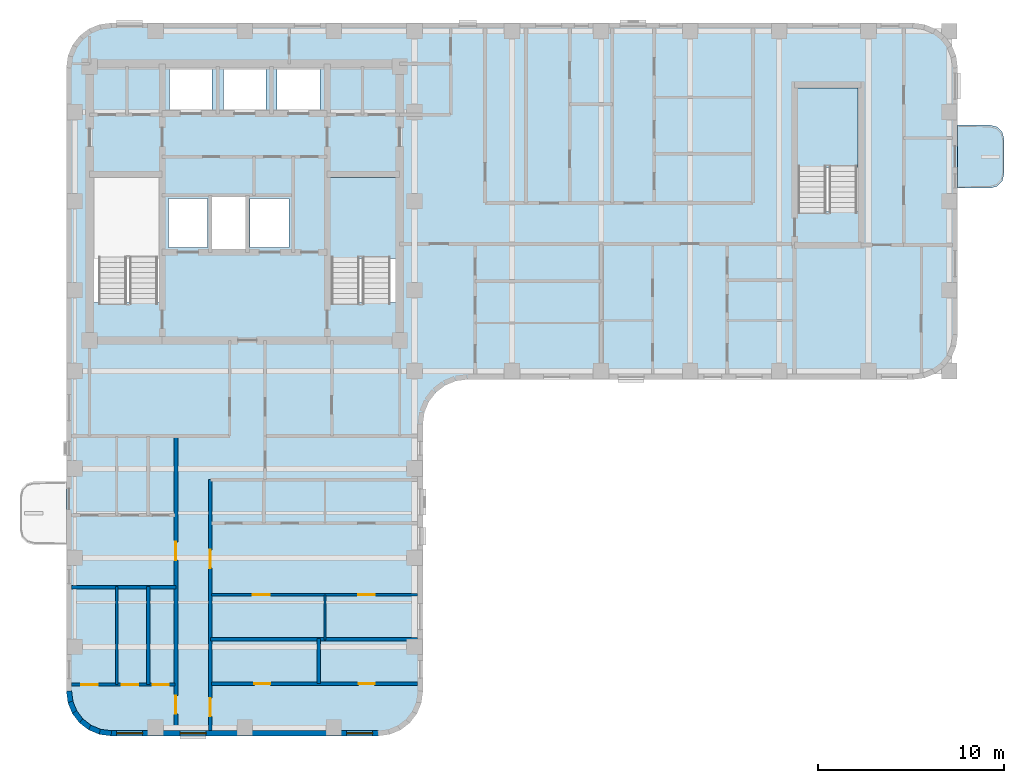
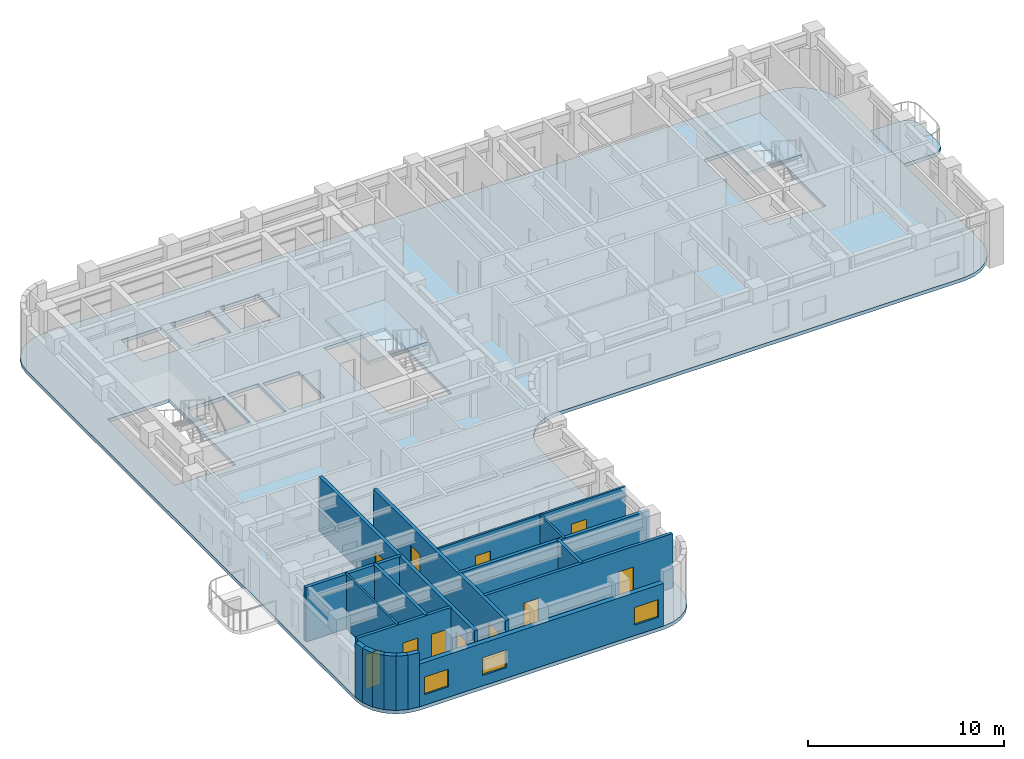
# One storey, part 2 of 10: 18 walls, 11 doors, 4 slabs, 3 windows, 14 openings, 2 elements without a shape of their own.
"""IFC4 building model written with IfcOpenShell, lengths in metres."""

from ifc_helpers import new_model, si_unit, direction, frame, frame_2d, origin, place, context, subcontext, project, spatial, polyline, rectangle, outline, extrude, material, layer, layer_set, type_object, element, fill, aggregate, save


model = new_model("IFC4")

# Units and contexts
model_context = context("Model", 3, precision=1e-05, world=origin(), true_north=direction((0.0, 1.0)))
body_context = subcontext(model_context, "Body", "Model", "MODEL_VIEW")
ifc_project = project(units=[si_unit("LENGTHUNIT", "METRE"), si_unit("AREAUNIT", "SQUARE_METRE"), si_unit("VOLUMEUNIT", "CUBIC_METRE"), si_unit("PLANEANGLEUNIT", "RADIAN"), si_unit("MASSUNIT", "GRAM", prefix="KILO")], contexts=[model_context])

# Site, building, storey
site_placement = place(None, origin())
site = spatial("IfcSite", under=ifc_project, at=site_placement, CompositionType="ELEMENT")
building_placement = place(site_placement, origin())
building = spatial("IfcBuilding", under=site, at=building_placement, Name="Orvandelia Arch Residences", CompositionType="ELEMENT")
storey_placement = place(building_placement, frame((0.0, 0.0, 218.199951171875)))
storey = spatial("IfcBuildingStorey", under=building, at=storey_placement, Name="L57", CompositionType="ELEMENT", Elevation=218.199951171875)

# Slab
ifc_material_1 = material(Name="Precast concrete C40/50", Category="concrete")
ifc_layer_1 = layer(ifc_material_1, 0.219970703125, Name="Precast concrete C40/50", Category="concrete")
ifc_layer_set_1 = layer_set([ifc_layer_1], Name="Precast concrete C40/50")
slab_type_1 = type_object("IfcSlabType", Name="SLB-BAL-220", PredefinedType="USERDEFINED", material=ifc_layer_set_1)
slab_1_placement = place(storey_placement, frame((0.0, 0.0, -0.219970703125)))
element("IfcSlab", 1, at=slab_1_placement, inside=storey, type_object=slab_type_1, Name="Tree Balcony Cantilever Slab BAL-L57-E1", ObjectType="BALCONY", PredefinedType="USERDEFINED", context=body_context, shape_type="SweptSolid", body=[
    extrude(outline(polyline([(52.800048828125, 42.5), (52.800048828125, 39.10009765625), (54.550048828125, 39.10009765625), (54.925048828125, 39.200439453125), (55.199462890625, 39.47509765625), (55.300048828125, 39.85009765625), (55.300048828125, 41.75), (55.199462890625, 42.125), (54.925048828125, 42.3994140625), (54.550048828125, 42.5), (52.800048828125, 42.5)])), origin(), (0.0, 0.0, 1.0), 0.219970703125),
])

# Stair, slab
ifc_material_2 = material(Name="Concrete C40/50", Category="concrete")
stair_type = type_object("IfcStairType", Name="STAIR-RC-DOGLEG", PredefinedType="HALF_TURN_STAIR", material=ifc_material_2)
stair_1_placement = place(storey_placement, origin())
stair_1 = element("IfcStair", 2, at=stair_1_placement, inside=storey, type_object=stair_type, Name="L57 Protected Exit Stair ST-2", PredefinedType="HALF_TURN_STAIR")
ifc_layer_2 = layer(ifc_material_2, 0.219970703125, Name="Concrete C40/50", Category="concrete")
ifc_layer_set_2 = layer_set([ifc_layer_2], Name="Concrete C40/50")
slab_type_2 = type_object("IfcSlabType", Name="SLB-LANDING-220", PredefinedType="LANDING", material=ifc_layer_set_2)
slab_2_placement = place(storey_placement, frame((0.0, 0.0, 1.60009765625)))
slab_2 = element("IfcSlab", 3, at=slab_2_placement, type_object=slab_type_2, Name="ST-2 landing 1", PredefinedType="LANDING", context=body_context, shape_type="SweptSolid", body=[
    extrude(outline(polyline([(22.5400390625, 35.31005859375), (22.5400390625, 39.68994140625), (19.0, 39.68994140625), (19.0, 35.31005859375), (22.5400390625, 35.31005859375)])), origin(), (0.0, 0.0, 1.0), 0.199951171875),
])
aggregate(stair_1, [slab_2])

stair_2_placement = place(storey_placement, origin())
stair_2 = element("IfcStair", 4, at=stair_2_placement, inside=storey, type_object=stair_type, Name="L57 East Wing Exit Stair ST-3", PredefinedType="HALF_TURN_STAIR")
slab_3_placement = place(storey_placement, frame((0.0, 0.0, 1.60009765625)))
slab_3 = element("IfcSlab", 5, at=slab_3_placement, type_object=slab_type_2, Name="ST-3 landing 1", PredefinedType="LANDING", context=body_context, shape_type="SweptSolid", body=[
    extrude(outline(polyline([(47.43994140625, 40.2099609375), (47.43994140625, 44.5), (44.179931640625, 44.5), (44.179931640625, 40.2099609375), (47.43994140625, 40.2099609375)])), origin(), (0.0, 0.0, 1.0), 0.199951171875),
])
aggregate(stair_2, [slab_3])

# Slab
ifc_layer_3 = layer(ifc_material_2, 0.219970703125, Name="Concrete C40/50", Category="concrete")
ifc_layer_set_3 = layer_set([ifc_layer_3], Name="Concrete C40/50")
slab_type_3 = type_object("IfcSlabType", Name="SLB-TWR-220", PredefinedType="FLOOR", material=ifc_layer_set_3)
slab_4_placement = place(storey_placement, frame((0.0, 0.0, -0.219970703125)))
element("IfcSlab", 6, at=slab_4_placement, inside=storey, type_object=slab_type_3, Name="Structural Floor Slab L57-1", PredefinedType="FLOOR", context=body_context, shape_type="SweptSolid", body=[
    extrude(outline(polyline([(4.800048828125, 12.0), (4.8818359375, 11.37890625), (5.12158203125, 10.800048828125), (5.5029296875, 10.302978515625), (6.0, 9.92138671875), (6.578857421875, 9.681884765625), (7.199951171875, 9.60009765625), (21.60009765625, 9.60009765625), (22.22119140625, 9.681884765625), (22.800048828125, 9.92138671875), (23.297119140625, 10.302978515625), (23.678466796875, 10.800048828125), (23.918212890625, 11.37890625), (24.0, 12.0), (24.0, 26.39990234375), (24.081787109375, 27.021240234375), (24.321533203125, 27.60009765625), (24.702880859375, 28.09716796875), (25.199951171875, 28.478515625), (25.77880859375, 28.71826171875), (26.39990234375, 28.800048828125), (50.39990234375, 28.800048828125), (51.021240234375, 28.8818359375), (51.60009765625, 29.12158203125), (52.09716796875, 29.5029296875), (52.478515625, 30.0), (52.71826171875, 30.578857421875), (52.800048828125, 31.199951171875), (52.800048828125, 45.60009765625), (52.71826171875, 46.22119140625), (52.478515625, 46.800048828125), (52.09716796875, 47.297119140625), (51.60009765625, 47.678466796875), (51.021240234375, 47.918212890625), (50.39990234375, 48.0), (7.199951171875, 48.0), (6.578857421875, 47.918212890625), (6.0, 47.678466796875), (5.5029296875, 47.297119140625), (5.12158203125, 46.800048828125), (4.8818359375, 46.22119140625), (4.800048828125, 45.60009765625), (4.800048828125, 12.0)]), holes=[polyline([(6.219970703125, 32.949951171875), (9.840087890625, 32.949951171875), (9.840087890625, 39.72998046875), (6.219970703125, 39.72998046875), (6.219970703125, 32.949951171875)]), polyline([(18.9599609375, 32.949951171875), (22.580078125, 32.949951171875), (22.580078125, 39.72998046875), (18.9599609375, 39.72998046875), (18.9599609375, 32.949951171875)]), polyline([(44.139892578125, 37.85009765625), (47.47998046875, 37.85009765625), (47.47998046875, 44.5400390625), (44.139892578125, 44.5400390625), (44.139892578125, 37.85009765625)]), polyline([(12.639892578125, 35.81005859375), (14.4599609375, 35.81005859375), (14.4599609375, 38.639892578125), (12.639892578125, 38.639892578125), (12.639892578125, 35.81005859375)]), polyline([(10.300048828125, 35.89990234375), (12.39990234375, 35.89990234375), (12.39990234375, 38.550048828125), (10.300048828125, 38.550048828125), (10.300048828125, 35.89990234375)]), polyline([(14.699951171875, 35.89990234375), (16.800048828125, 35.89990234375), (16.800048828125, 38.550048828125), (14.699951171875, 38.550048828125), (14.699951171875, 35.89990234375)]), polyline([(10.35009765625, 43.300048828125), (12.64990234375, 43.300048828125), (12.64990234375, 45.5), (10.35009765625, 45.5), (10.35009765625, 43.300048828125)]), polyline([(13.25, 43.300048828125), (15.550048828125, 43.300048828125), (15.550048828125, 45.5), (13.25, 45.5), (13.25, 43.300048828125)]), polyline([(16.14990234375, 43.300048828125), (18.449951171875, 43.300048828125), (18.449951171875, 45.5), (16.14990234375, 45.5), (16.14990234375, 43.300048828125)])]), origin(), (0.0, 0.0, 1.0), 0.219970703125),
])

# Wall, openings, doors
ifc_material_3 = material(Name="Fire-Rated Corridor Partition")
ifc_layer_4 = layer(ifc_material_3, 0.199951171875, Name="Fire-Rated Corridor Partition")
ifc_layer_set_4 = layer_set([ifc_layer_4], Name="Fire-Rated Corridor Partition")
wall_type_1 = type_object("IfcWallType", Name="WL-CORR-200", PredefinedType="PARTITIONING", material=ifc_layer_set_4)
wall_1_placement = place(storey_placement, frame((10.699951171875, 9.8798828125, 0.0), z_axis=(0.0, 0.0, 1.0), x_axis=(0.0, 1.0, 0.0)))
wall_1 = element("IfcWall", 7, at=wall_1_placement, inside=storey, type_object=wall_type_1, Name="Interior Partition Wall WL-L57-WC-W", PredefinedType="PARTITIONING", context=body_context, shape_type="SweptSolid", body=[
    extrude(rectangle(XDim=15.8701171875, YDim=0.199951171875, at=frame_2d((7.93505859375, 0.0))), origin(), (0.0, 0.0, 1.0), 3.380126953125),
])
opening_1_placement = place(wall_1_placement, frame((0.903076171875, 0.0, 0.0)))
opening_1 = element("IfcOpeningElement", 8, at=opening_1_placement, cuts=wall_1, Name="Opening D1", PredefinedType="OPENING", context=body_context, shape_type="SweptSolid", body=[
    extrude(rectangle(XDim=0.97998046875, YDim=2.179931640625, at=frame_2d((0.489990234375, 1.08984375))), frame((0.0, 0.10986328125, 0.0), z_axis=(0.0, -1.0, 0.0), x_axis=(1.0, 0.0, 0.0)), (0.0, 0.0, 1.0), 0.219970703125),
])
opening_2_placement = place(wall_1_placement, frame((9.18994140625, 0.0, 0.0)))
opening_2 = element("IfcOpeningElement", 9, at=opening_2_placement, cuts=wall_1, Name="Opening D1", PredefinedType="OPENING", context=body_context, shape_type="SweptSolid", body=[
    extrude(rectangle(XDim=0.97998046875, YDim=2.179931640625, at=frame_2d((0.489990234375, 1.08984375))), frame((0.0, 0.10986328125, 0.0), z_axis=(0.0, -1.0, 0.0), x_axis=(1.0, 0.0, 0.0)), (0.0, 0.0, 1.0), 0.219970703125),
])
ifc_material_4 = material(Name="Solid-Core Timber Acoustic Fire Door", Category="wood")
door_type_1 = type_object("IfcDoorType", Name="DR-ENT-980", OperationType="NOTDEFINED", PredefinedType="DOOR", material=ifc_material_4)
door_1_placement = place(opening_1_placement, origin())
door_1 = element("IfcDoor", 10, at=door_1_placement, inside=storey, type_object=door_type_1, Name="Unit L57-01 Entrance Door", OperationType="SINGLE_SWING_LEFT", OverallHeight=2.179931640625, OverallWidth=0.97998046875, PredefinedType="DOOR", context=body_context, shape_type="SweptSolid", body=[
    extrude(rectangle(XDim=0.97998046875, YDim=2.179931640625, at=frame_2d((0.489990234375, 1.08984375))), frame((0.0, 0.02490234375, 0.0), z_axis=(0.0, -1.0, 0.0), x_axis=(1.0, 0.0, 0.0)), (0.0, 0.0, 1.0), 0.050048828125),
])
fill(opening_1, door_1)
door_2_placement = place(opening_2_placement, origin())
door_2 = element("IfcDoor", 11, at=door_2_placement, inside=storey, type_object=door_type_1, Name="Unit L57-02 Entrance Door", OperationType="SINGLE_SWING_RIGHT", OverallHeight=2.179931640625, OverallWidth=0.97998046875, PredefinedType="DOOR", context=body_context, shape_type="SweptSolid", body=[
    extrude(rectangle(XDim=0.97998046875, YDim=2.179931640625, at=frame_2d((0.489990234375, 1.08984375))), frame((0.0, 0.02490234375, 0.0), z_axis=(0.0, -1.0, 0.0), x_axis=(1.0, 0.0, 0.0)), (0.0, 0.0, 1.0), 0.050048828125),
])
fill(opening_2, door_2)

wall_2_placement = place(storey_placement, frame((12.550048828125, 9.8798828125, 0.0), z_axis=(0.0, 0.0, 1.0), x_axis=(0.0, 1.0, 0.0)))
wall_2 = element("IfcWall", 12, at=wall_2_placement, inside=storey, type_object=wall_type_1, Name="Interior Partition Wall WL-L57-WC-E", PredefinedType="PARTITIONING", context=body_context, shape_type="SweptSolid", body=[
    extrude(rectangle(XDim=13.52001953125, YDim=0.199951171875, at=frame_2d((6.760009765625, 0.0))), origin(), (0.0, 0.0, 1.0), 3.380126953125),
])
opening_3_placement = place(wall_2_placement, frame((0.77490234375, 0.0, 0.0)))
opening_3 = element("IfcOpeningElement", 13, at=opening_3_placement, cuts=wall_2, Name="Opening D1", PredefinedType="OPENING", context=body_context, shape_type="SweptSolid", body=[
    extrude(rectangle(XDim=0.97998046875, YDim=2.179931640625, at=frame_2d((0.489990234375, 1.08984375))), frame((0.0, 0.10986328125, 0.0), z_axis=(0.0, -1.0, 0.0), x_axis=(1.0, 0.0, 0.0)), (0.0, 0.0, 1.0), 0.219970703125),
])
opening_4_placement = place(wall_2_placement, frame((8.759033203125, 0.0, 0.0)))
opening_4 = element("IfcOpeningElement", 14, at=opening_4_placement, cuts=wall_2, Name="Opening D1", PredefinedType="OPENING", context=body_context, shape_type="SweptSolid", body=[
    extrude(rectangle(XDim=0.97998046875, YDim=2.179931640625, at=frame_2d((0.489990234375, 1.08984375))), frame((0.0, 0.10986328125, 0.0), z_axis=(0.0, -1.0, 0.0), x_axis=(1.0, 0.0, 0.0)), (0.0, 0.0, 1.0), 0.219970703125),
])
door_3_placement = place(opening_3_placement, origin())
door_3 = element("IfcDoor", 15, at=door_3_placement, inside=storey, type_object=door_type_1, Name="Unit L57-03 Entrance Door", OperationType="SINGLE_SWING_LEFT", OverallHeight=2.179931640625, OverallWidth=0.97998046875, PredefinedType="DOOR", context=body_context, shape_type="SweptSolid", body=[
    extrude(rectangle(XDim=0.97998046875, YDim=2.179931640625, at=frame_2d((0.489990234375, 1.08984375))), frame((0.0, 0.02490234375, 0.0), z_axis=(0.0, -1.0, 0.0), x_axis=(1.0, 0.0, 0.0)), (0.0, 0.0, 1.0), 0.050048828125),
])
fill(opening_3, door_3)
door_4_placement = place(opening_4_placement, origin())
door_4 = element("IfcDoor", 16, at=door_4_placement, inside=storey, type_object=door_type_1, Name="Unit L57-04 Entrance Door", OperationType="SINGLE_SWING_RIGHT", OverallHeight=2.179931640625, OverallWidth=0.97998046875, PredefinedType="DOOR", context=body_context, shape_type="SweptSolid", body=[
    extrude(rectangle(XDim=0.97998046875, YDim=2.179931640625, at=frame_2d((0.489990234375, 1.08984375))), frame((0.0, 0.02490234375, 0.0), z_axis=(0.0, -1.0, 0.0), x_axis=(1.0, 0.0, 0.0)), (0.0, 0.0, 1.0), 0.050048828125),
])
fill(opening_4, door_4)

# Walls
ifc_layer_5 = layer(ifc_material_2, 0.199951171875, Name="Concrete C40/50", Category="concrete")
ifc_layer_set_5 = layer_set([ifc_layer_5], Name="Concrete C40/50")
wall_type_2 = type_object("IfcWallType", Name="WL-DEM-200", PredefinedType="SOLIDWALL", material=ifc_layer_set_5)
wall_3_placement = place(storey_placement, frame((5.080078125, 17.60009765625, 0.0), z_axis=(0.0, 0.0, 1.0), x_axis=(1.0, 0.0, 0.0)))
element("IfcWall", 17, at=wall_3_placement, inside=storey, type_object=wall_type_2, Name="Interior Partition Wall WL-L57-DEM-WL-176", PredefinedType="SOLIDWALL", context=body_context, shape_type="SweptSolid", body=[
    extrude(rectangle(XDim=5.619873046875, YDim=0.199951171875, at=frame_2d((2.81005859375, 0.0))), origin(), (0.0, 0.0, 1.0), 3.380126953125),
])
wall_4_placement = place(storey_placement, frame((12.550048828125, 14.800048828125, 0.0), z_axis=(0.0, 0.0, 1.0), x_axis=(1.0, 0.0, 0.0)))
element("IfcWall", 18, at=wall_4_placement, inside=storey, type_object=wall_type_2, Name="Interior Partition Wall WL-L57-DEM-WR-148", PredefinedType="SOLIDWALL", context=body_context, shape_type="SweptSolid", body=[
    extrude(rectangle(XDim=11.169921875, YDim=0.199951171875, at=frame_2d((5.5849609375, 0.0))), origin(), (0.0, 0.0, 1.0), 3.380126953125),
])

# Wall, openings, windows
ifc_layer_6 = layer(ifc_material_1, 0.280029296875, Name="Precast concrete C40/50", Category="concrete")
ifc_layer_set_6 = layer_set([ifc_layer_6], Name="Precast concrete C40/50")
wall_type_3 = type_object("IfcWallType", Name="WL-EXT-STONE-280", PredefinedType="STANDARD", material=ifc_layer_set_6)
wall_5_placement = place(storey_placement, frame((21.60009765625, 9.739990234375, 0.0), z_axis=(0.0, 0.0, 1.0), x_axis=(-1.0, 0.0, 0.0)))
wall_5 = element("IfcWall", 19, at=wall_5_placement, inside=storey, type_object=wall_type_3, Name="Coral-Limestone Precast Facade Wall L57-035", PredefinedType="STANDARD", context=body_context, shape_type="SweptSolid", body=[
    extrude(rectangle(XDim=14.400146484375, YDim=0.280029296875, at=frame_2d((7.2001953125, 0.0))), origin(), (0.0, 0.0, 1.0), 2.66015625),
])
opening_5_placement = place(wall_5_placement, frame((0.3076171875, 0.0, 0.64990234375)))
opening_5 = element("IfcOpeningElement", 20, at=opening_5_placement, cuts=wall_5, Name="Opening W10", PredefinedType="OPENING", context=body_context, shape_type="SweptSolid", body=[
    extrude(rectangle(XDim=1.39990234375, YDim=1.10009765625, at=frame_2d((0.699951171875, 0.550048828125))), frame((0.0, 0.14990234375, 0.0), z_axis=(0.0, -1.0, 0.0), x_axis=(1.0, 0.0, 0.0)), (0.0, 0.0, 1.0), 0.300048828125),
])
opening_6_placement = place(wall_5_placement, frame((9.27490234375, 0.0, 0.64990234375)))
opening_6 = element("IfcOpeningElement", 21, at=opening_6_placement, cuts=wall_5, Name="Opening W10", PredefinedType="OPENING", context=body_context, shape_type="SweptSolid", body=[
    extrude(rectangle(XDim=1.39990234375, YDim=1.10009765625, at=frame_2d((0.699951171875, 0.550048828125))), frame((0.0, 0.14990234375, 0.0), z_axis=(0.0, -1.0, 0.0), x_axis=(1.0, 0.0, 0.0)), (0.0, 0.0, 1.0), 0.300048828125),
])
opening_7_placement = place(wall_5_placement, frame((12.6923828125, 0.0, 0.64990234375)))
opening_7 = element("IfcOpeningElement", 22, at=opening_7_placement, cuts=wall_5, Name="Opening W10", PredefinedType="OPENING", context=body_context, shape_type="SweptSolid", body=[
    extrude(rectangle(XDim=1.39990234375, YDim=1.10009765625, at=frame_2d((0.699951171875, 0.550048828125))), frame((0.0, 0.14990234375, 0.0), z_axis=(0.0, -1.0, 0.0), x_axis=(1.0, 0.0, 0.0)), (0.0, 0.0, 1.0), 0.300048828125),
])
ifc_material_5 = material(Name="Tempered Low-E Insulated Glazing", Category="glass")
window_type = type_object("IfcWindowType", Name="WIN-CLR-1400x1100", PartitioningType="SINGLE_PANEL", PredefinedType="WINDOW", material=ifc_material_5)
window_1_placement = place(opening_5_placement, origin())
window_1 = element("IfcWindow", 23, at=window_1_placement, inside=storey, type_object=window_type, Name="Recessed Punched Window L57-023", OverallHeight=1.10009765625, OverallWidth=1.39990234375, PartitioningType="SINGLE_PANEL", PredefinedType="WINDOW", context=body_context, shape_type="SweptSolid", body=[
    extrude(rectangle(XDim=1.39990234375, YDim=1.10009765625, at=frame_2d((0.699951171875, 0.550048828125))), frame((0.0, 0.030029296875, 0.0), z_axis=(0.0, -1.0, 0.0), x_axis=(1.0, 0.0, 0.0)), (0.0, 0.0, 1.0), 0.06005859375),
])
fill(opening_5, window_1)
window_2_placement = place(opening_6_placement, origin())
window_2 = element("IfcWindow", 24, at=window_2_placement, inside=storey, type_object=window_type, Name="Recessed Punched Window L57-024", OverallHeight=1.10009765625, OverallWidth=1.39990234375, PartitioningType="SINGLE_PANEL", PredefinedType="WINDOW", context=body_context, shape_type="SweptSolid", body=[
    extrude(rectangle(XDim=1.39990234375, YDim=1.10009765625, at=frame_2d((0.699951171875, 0.550048828125))), frame((0.0, 0.030029296875, 0.0), z_axis=(0.0, -1.0, 0.0), x_axis=(1.0, 0.0, 0.0)), (0.0, 0.0, 1.0), 0.06005859375),
])
fill(opening_6, window_2)
window_3_placement = place(opening_7_placement, origin())
window_3 = element("IfcWindow", 25, at=window_3_placement, inside=storey, type_object=window_type, Name="Recessed Punched Window L57-025", OverallHeight=1.10009765625, OverallWidth=1.39990234375, PartitioningType="SINGLE_PANEL", PredefinedType="WINDOW", context=body_context, shape_type="SweptSolid", body=[
    extrude(rectangle(XDim=1.39990234375, YDim=1.10009765625, at=frame_2d((0.699951171875, 0.550048828125))), frame((0.0, 0.030029296875, 0.0), z_axis=(0.0, -1.0, 0.0), x_axis=(1.0, 0.0, 0.0)), (0.0, 0.0, 1.0), 0.06005859375),
])
fill(opening_7, window_3)

# Walls
wall_6_placement = place(storey_placement, frame((7.21826171875, 9.73876953125, 0.0), z_axis=(0.0, 0.0, 1.0), x_axis=(-0.9914410257, 0.130555323746, 0.0)))
element("IfcWall", 26, at=wall_6_placement, inside=storey, type_object=wall_type_3, Name="Coral-Limestone Precast Facade Wall L57-036", PredefinedType="STANDARD", context=body_context, shape_type="SweptSolid", body=[
    extrude(rectangle(XDim=0.62646484375, YDim=0.280029296875, at=frame_2d((0.313232421875, 0.0))), origin(), (0.0, 0.0, 1.0), 3.380126953125),
])
wall_7_placement = place(storey_placement, frame((6.63232421875, 9.81103515625, 0.0), z_axis=(0.0, 0.0, 1.0), x_axis=(-0.923836271867, 0.382787856107, 0.0)))
element("IfcWall", 27, at=wall_7_placement, inside=storey, type_object=wall_type_3, Name="Coral-Limestone Precast Facade Wall L57-037", PredefinedType="STANDARD", context=body_context, shape_type="SweptSolid", body=[
    extrude(rectangle(XDim=0.626220703125, YDim=0.280029296875, at=frame_2d((0.31298828125, 0.0))), origin(), (0.0, 0.0, 1.0), 3.380126953125),
])
for number, where, z_axis, x_axis, name in (
    (28, (6.085205078125, 10.03271484375, 0.0), (0.0, 0.0, 1.0), (-0.793405610854, 0.608693302629, 0.0), "Coral-Limestone Precast Facade Wall L57-038"),
    (29, (5.614013671875, 10.38818359375, 0.0), (0.0, 0.0, 1.0), (-0.608693302629, 0.793405610854, 0.0), "Coral-Limestone Precast Facade Wall L57-039"),
    (30, (5.250732421875, 10.853515625, 0.0), (0.0, 0.0, 1.0), (-0.382650053678, 0.92389335771, 0.0), "Coral-Limestone Precast Facade Wall L57-040"),
    (31, (5.0205078125, 11.397216796875, 0.0), (0.0, 0.0, 1.0), (-0.130555323746, 0.9914410257, 0.0), "Coral-Limestone Precast Facade Wall L57-041"),
):
    element("IfcWall", number, at=place(storey_placement, frame(where, z_axis=z_axis, x_axis=x_axis)), inside=storey, type_object=wall_type_3, Name=name, PredefinedType="STANDARD", context=body_context, shape_type="SweptSolid", body=[
        extrude(rectangle(XDim=0.62646484375, YDim=0.280029296875, at=frame_2d((0.313232421875, 0.0))), origin(), (0.0, 0.0, 1.0), 3.380126953125),
    ])
ifc_material_6 = material(Name="Lightweight Gypsum Stud Partition")
ifc_layer_7 = layer(ifc_material_6, 0.1201171875, Name="Lightweight Gypsum Stud Partition")
ifc_layer_set_7 = layer_set([ifc_layer_7], Name="Lightweight Gypsum Stud Partition")
wall_type_4 = type_object("IfcWallType", Name="WL-PART-120", PredefinedType="PARTITIONING", material=ifc_layer_set_7)
wall_8_placement = place(storey_placement, frame((7.514892578125, 12.365966796875, 0.0), z_axis=(0.0, 0.0, 1.0), x_axis=(0.0, 1.0, 0.0)))
element("IfcWall", 32, at=wall_8_placement, inside=storey, type_object=wall_type_4, Name="Interior Partition Wall WL-L57-U01-V1", PredefinedType="PARTITIONING", context=body_context, shape_type="SweptSolid", body=[
    extrude(rectangle(XDim=5.27392578125, YDim=0.1201171875, at=frame_2d((2.636962890625, 0.0))), origin(), (0.0, 0.0, 1.0), 3.380126953125),
])

# Wall, openings, doors
wall_9_placement = place(storey_placement, frame((12.610107421875, 17.197998046875, 0.0), z_axis=(0.0, 0.0, 1.0), x_axis=(1.0, 0.0, 0.0)))
wall_9 = element("IfcWall", 33, at=wall_9_placement, inside=storey, type_object=wall_type_4, Name="Interior Partition Wall WL-L57-U04-HB", PredefinedType="PARTITIONING", context=body_context, shape_type="SweptSolid", body=[
    extrude(rectangle(XDim=11.10986328125, YDim=0.1201171875, at=frame_2d((5.554931640625, 0.0))), origin(), (0.0, 0.0, 1.0), 3.380126953125),
])
opening_8_placement = place(wall_9_placement, frame((2.2373046875, 0.0, 0.0)))
opening_8 = element("IfcOpeningElement", 34, at=opening_8_placement, cuts=wall_9, Name="Opening D3", PredefinedType="OPENING", context=body_context, shape_type="SweptSolid", body=[
    extrude(rectangle(XDim=0.89990234375, YDim=2.14990234375, at=frame_2d((0.449951171875, 1.074951171875))), frame((0.0, 0.070068359375, 0.0), z_axis=(0.0, -1.0, 0.0), x_axis=(1.0, 0.0, 0.0)), (0.0, 0.0, 1.0), 0.14013671875),
])
opening_9_placement = place(wall_9_placement, frame((7.903076171875, 0.0, 0.0)))
opening_9 = element("IfcOpeningElement", 35, at=opening_9_placement, cuts=wall_9, Name="Opening D3", PredefinedType="OPENING", context=body_context, shape_type="SweptSolid", body=[
    extrude(rectangle(XDim=0.89990234375, YDim=2.14990234375, at=frame_2d((0.449951171875, 1.074951171875))), frame((0.0, 0.070068359375, 0.0), z_axis=(0.0, -1.0, 0.0), x_axis=(1.0, 0.0, 0.0)), (0.0, 0.0, 1.0), 0.14013671875),
])
ifc_material_7 = material(Name="Engineered Timber Flush Door", Category="wood")
door_type_2 = type_object("IfcDoorType", Name="DR-INT-900", OperationType="NOTDEFINED", PredefinedType="DOOR", material=ifc_material_7)
door_5_placement = place(opening_8_placement, origin())
door_5 = element("IfcDoor", 36, at=door_5_placement, inside=storey, type_object=door_type_2, Name="DR-L57-U04-STDY", OperationType="SINGLE_SWING_RIGHT", OverallHeight=2.14990234375, OverallWidth=0.89990234375, PredefinedType="DOOR", context=body_context, shape_type="SweptSolid", body=[
    extrude(rectangle(XDim=0.89990234375, YDim=2.14990234375, at=frame_2d((0.449951171875, 1.074951171875))), frame((0.0, 0.02490234375, 0.0), z_axis=(0.0, -1.0, 0.0), x_axis=(1.0, 0.0, 0.0)), (0.0, 0.0, 1.0), 0.050048828125),
])
fill(opening_8, door_5)
door_6_placement = place(opening_9_placement, origin())
door_6 = element("IfcDoor", 37, at=door_6_placement, inside=storey, type_object=door_type_2, Name="DR-L57-U04-BD2", OperationType="SINGLE_SWING_LEFT", OverallHeight=2.14990234375, OverallWidth=0.89990234375, PredefinedType="DOOR", context=body_context, shape_type="SweptSolid", body=[
    extrude(rectangle(XDim=0.89990234375, YDim=2.14990234375, at=frame_2d((0.449951171875, 1.074951171875))), frame((0.0, 0.02490234375, 0.0), z_axis=(0.0, -1.0, 0.0), x_axis=(1.0, 0.0, 0.0)), (0.0, 0.0, 1.0), 0.050048828125),
])
fill(opening_9, door_6)

# Wall
wall_10_placement = place(storey_placement, frame((18.73193359375, 14.760009765625, 0.0), z_axis=(0.0, 0.0, 1.0), x_axis=(0.0, 1.0, 0.0)))
element("IfcWall", 38, at=wall_10_placement, inside=storey, type_object=wall_type_4, Name="Interior Partition Wall WL-L57-U04-VB", PredefinedType="PARTITIONING", context=body_context, shape_type="SweptSolid", body=[
    extrude(rectangle(XDim=2.43798828125, YDim=0.1201171875, at=frame_2d((1.218994140625, 0.0))), origin(), (0.0, 0.0, 1.0), 3.380126953125),
])

# Wall, openings, doors
ifc_material_8 = material(Name="Moisture-Resistant Plumbing Wall")
ifc_layer_8 = layer(ifc_material_8, 0.179931640625, Name="Moisture-Resistant Plumbing Wall")
ifc_layer_set_8 = layer_set([ifc_layer_8], Name="Moisture-Resistant Plumbing Wall")
wall_type_5 = type_object("IfcWallType", Name="WL-WET-180", PredefinedType="PLUMBINGWALL", material=ifc_layer_set_8)
wall_11_placement = place(storey_placement, frame((5.080078125, 12.365966796875, 0.0), z_axis=(0.0, 0.0, 1.0), x_axis=(1.0, 0.0, 0.0)))
wall_11 = element("IfcWall", 39, at=wall_11_placement, inside=storey, type_object=wall_type_5, Name="Interior Partition Wall WL-L57-U01-HZ", PredefinedType="PLUMBINGWALL", context=body_context, shape_type="SweptSolid", body=[
    extrude(rectangle(XDim=5.559814453125, YDim=0.179931640625, at=frame_2d((2.77978515625, 0.0))), origin(), (0.0, 0.0, 1.0), 3.380126953125),
])
opening_10_placement = place(wall_11_placement, frame((0.51220703125, 0.0, 0.0)))
opening_10 = element("IfcOpeningElement", 40, at=opening_10_placement, cuts=wall_11, Name="Opening D3", PredefinedType="OPENING", context=body_context, shape_type="SweptSolid", body=[
    extrude(rectangle(XDim=0.89990234375, YDim=2.14990234375, at=frame_2d((0.449951171875, 1.074951171875))), frame((0.0, 0.10009765625, 0.0), z_axis=(0.0, -1.0, 0.0), x_axis=(1.0, 0.0, 0.0)), (0.0, 0.0, 1.0), 0.199951171875),
])
opening_11_placement = place(wall_11_placement, frame((2.695068359375, 0.0, 0.0)))
opening_11 = element("IfcOpeningElement", 41, at=opening_11_placement, cuts=wall_11, Name="Opening D3", PredefinedType="OPENING", context=body_context, shape_type="SweptSolid", body=[
    extrude(rectangle(XDim=0.89990234375, YDim=2.14990234375, at=frame_2d((0.449951171875, 1.074951171875))), frame((0.0, 0.10009765625, 0.0), z_axis=(0.0, -1.0, 0.0), x_axis=(1.0, 0.0, 0.0)), (0.0, 0.0, 1.0), 0.199951171875),
])
opening_12_placement = place(wall_11_placement, frame((4.382080078125, 0.0, 0.0)))
opening_12 = element("IfcOpeningElement", 42, at=opening_12_placement, cuts=wall_11, Name="Opening D4", PredefinedType="OPENING", context=body_context, shape_type="SweptSolid", body=[
    extrude(rectangle(XDim=0.860107421875, YDim=2.10009765625, at=frame_2d((0.43017578125, 1.050048828125))), frame((0.0, 0.10009765625, 0.0), z_axis=(0.0, -1.0, 0.0), x_axis=(1.0, 0.0, 0.0)), (0.0, 0.0, 1.0), 0.199951171875),
])
door_7_placement = place(opening_10_placement, origin())
door_7 = element("IfcDoor", 43, at=door_7_placement, inside=storey, type_object=door_type_2, Name="DR-L57-U01-BD1", OperationType="SINGLE_SWING_LEFT", OverallHeight=2.14990234375, OverallWidth=0.89990234375, PredefinedType="DOOR", context=body_context, shape_type="SweptSolid", body=[
    extrude(rectangle(XDim=0.89990234375, YDim=2.14990234375, at=frame_2d((0.449951171875, 1.074951171875))), frame((0.0, 0.02490234375, 0.0), z_axis=(0.0, -1.0, 0.0), x_axis=(1.0, 0.0, 0.0)), (0.0, 0.0, 1.0), 0.050048828125),
])
fill(opening_10, door_7)
door_8_placement = place(opening_11_placement, origin())
door_8 = element("IfcDoor", 44, at=door_8_placement, inside=storey, type_object=door_type_2, Name="DR-L57-U01-KIT", OperationType="SINGLE_SWING_RIGHT", OverallHeight=2.14990234375, OverallWidth=0.89990234375, PredefinedType="DOOR", context=body_context, shape_type="SweptSolid", body=[
    extrude(rectangle(XDim=0.89990234375, YDim=2.14990234375, at=frame_2d((0.449951171875, 1.074951171875))), frame((0.0, 0.02490234375, 0.0), z_axis=(0.0, -1.0, 0.0), x_axis=(1.0, 0.0, 0.0)), (0.0, 0.0, 1.0), 0.050048828125),
])
fill(opening_11, door_8)
ifc_material_9 = material(Name="Moisture-Sealed Timber Bathroom Door", Category="wood")
door_type_3 = type_object("IfcDoorType", Name="DR-WET-900", OperationType="NOTDEFINED", PredefinedType="DOOR", material=ifc_material_9)
door_9_placement = place(opening_12_placement, origin())
door_9 = element("IfcDoor", 45, at=door_9_placement, inside=storey, type_object=door_type_3, Name="DR-L57-U01-BTH", OperationType="SINGLE_SWING_LEFT", OverallHeight=2.10009765625, OverallWidth=0.860107421875, PredefinedType="DOOR", context=body_context, shape_type="SweptSolid", body=[
    extrude(rectangle(XDim=0.860107421875, YDim=2.10009765625, at=frame_2d((0.43017578125, 1.050048828125))), frame((0.0, 0.02490234375, 0.0), z_axis=(0.0, -1.0, 0.0), x_axis=(1.0, 0.0, 0.0)), (0.0, 0.0, 1.0), 0.050048828125),
])
fill(opening_12, door_9)

# Wall
wall_12_placement = place(storey_placement, frame((9.201904296875, 12.365966796875, 0.0), z_axis=(0.0, 0.0, 1.0), x_axis=(0.0, 1.0, 0.0)))
element("IfcWall", 46, at=wall_12_placement, inside=storey, type_object=wall_type_5, Name="Interior Partition Wall WL-L57-U01-V2", PredefinedType="PLUMBINGWALL", context=body_context, shape_type="SweptSolid", body=[
    extrude(rectangle(XDim=5.27392578125, YDim=0.179931640625, at=frame_2d((2.636962890625, 0.0))), origin(), (0.0, 0.0, 1.0), 3.380126953125),
])

# Wall, openings, doors
wall_13_placement = place(storey_placement, frame((12.610107421875, 12.409912109375, 0.0), z_axis=(0.0, 0.0, 1.0), x_axis=(1.0, 0.0, 0.0)))
wall_13 = element("IfcWall", 47, at=wall_13_placement, inside=storey, type_object=wall_type_5, Name="Interior Partition Wall WL-L57-U03-HZ", PredefinedType="PLUMBINGWALL", context=body_context, shape_type="SweptSolid", body=[
    extrude(rectangle(XDim=11.10986328125, YDim=0.179931640625, at=frame_2d((5.554931640625, 0.0))), origin(), (0.0, 0.0, 1.0), 3.380126953125),
])
opening_13_placement = place(wall_13_placement, frame((2.319091796875, 0.0, 0.0)))
opening_13 = element("IfcOpeningElement", 48, at=opening_13_placement, cuts=wall_13, Name="Opening D4", PredefinedType="OPENING", context=body_context, shape_type="SweptSolid", body=[
    extrude(rectangle(XDim=0.860107421875, YDim=2.10009765625, at=frame_2d((0.43017578125, 1.050048828125))), frame((0.0, 0.10009765625, 0.0), z_axis=(0.0, -1.0, 0.0), x_axis=(1.0, 0.0, 0.0)), (0.0, 0.0, 1.0), 0.199951171875),
])
opening_14_placement = place(wall_13_placement, frame((7.93408203125, 0.0, 0.0)))
opening_14 = element("IfcOpeningElement", 49, at=opening_14_placement, cuts=wall_13, Name="Opening D4", PredefinedType="OPENING", context=body_context, shape_type="SweptSolid", body=[
    extrude(rectangle(XDim=0.860107421875, YDim=2.10009765625, at=frame_2d((0.43017578125, 1.050048828125))), frame((0.0, 0.10009765625, 0.0), z_axis=(0.0, -1.0, 0.0), x_axis=(1.0, 0.0, 0.0)), (0.0, 0.0, 1.0), 0.199951171875),
])
door_10_placement = place(opening_13_placement, origin())
door_10 = element("IfcDoor", 50, at=door_10_placement, inside=storey, type_object=door_type_3, Name="DR-L57-U03-KIT", OperationType="SINGLE_SWING_LEFT", OverallHeight=2.10009765625, OverallWidth=0.860107421875, PredefinedType="DOOR", context=body_context, shape_type="SweptSolid", body=[
    extrude(rectangle(XDim=0.860107421875, YDim=2.10009765625, at=frame_2d((0.43017578125, 1.050048828125))), frame((0.0, 0.02490234375, 0.0), z_axis=(0.0, -1.0, 0.0), x_axis=(1.0, 0.0, 0.0)), (0.0, 0.0, 1.0), 0.050048828125),
])
fill(opening_13, door_10)
door_11_placement = place(opening_14_placement, origin())
door_11 = element("IfcDoor", 51, at=door_11_placement, inside=storey, type_object=door_type_3, Name="DR-L57-U03-BTH", OperationType="SINGLE_SWING_RIGHT", OverallHeight=2.10009765625, OverallWidth=0.860107421875, PredefinedType="DOOR", context=body_context, shape_type="SweptSolid", body=[
    extrude(rectangle(XDim=0.860107421875, YDim=2.10009765625, at=frame_2d((0.43017578125, 1.050048828125))), frame((0.0, 0.02490234375, 0.0), z_axis=(0.0, -1.0, 0.0), x_axis=(1.0, 0.0, 0.0)), (0.0, 0.0, 1.0), 0.050048828125),
])
fill(opening_14, door_11)

# Wall
wall_14_placement = place(storey_placement, frame((18.39794921875, 12.409912109375, 0.0), z_axis=(0.0, 0.0, 1.0), x_axis=(0.0, 1.0, 0.0)))
element("IfcWall", 52, at=wall_14_placement, inside=storey, type_object=wall_type_5, Name="Interior Partition Wall WL-L57-U03-V1", PredefinedType="PLUMBINGWALL", context=body_context, shape_type="SweptSolid", body=[
    extrude(rectangle(XDim=2.43017578125, YDim=0.179931640625, at=frame_2d((1.215087890625, 0.0))), origin(), (0.0, 0.0, 1.0), 3.380126953125),
])

save(model, "model.ifc")
